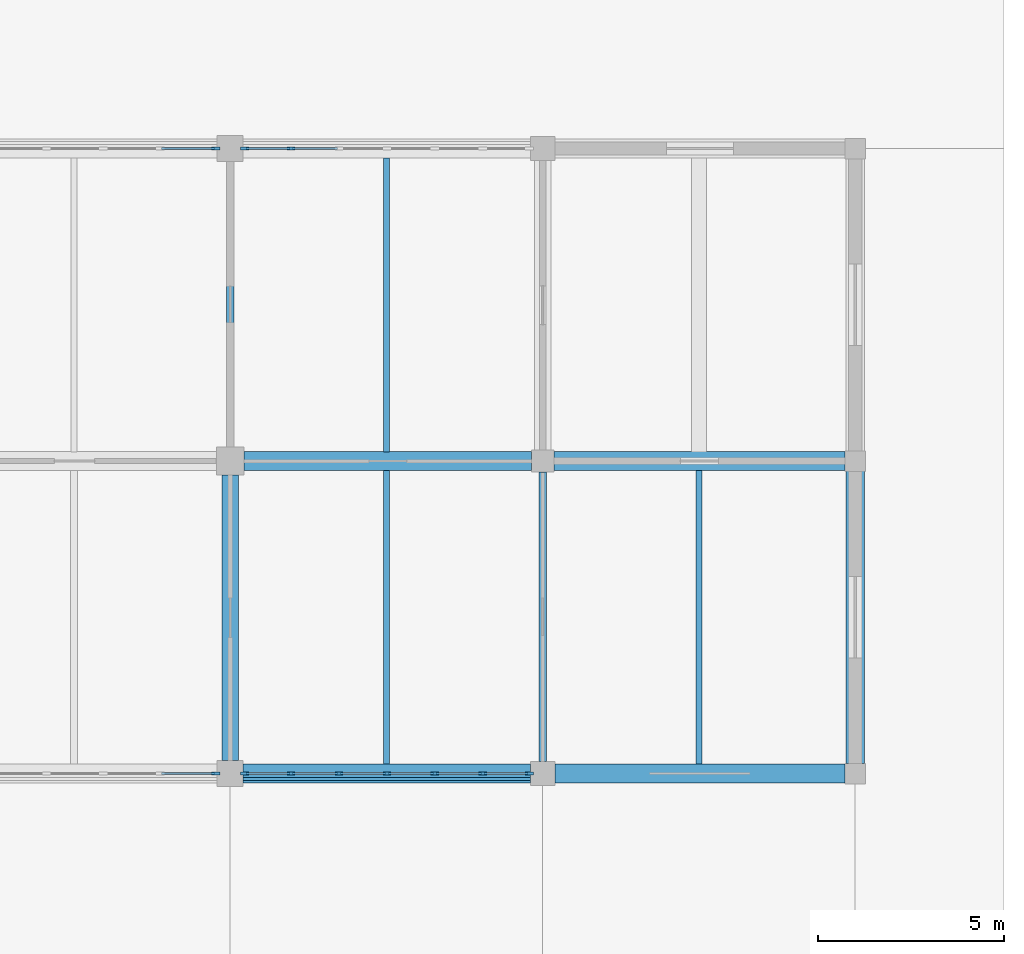
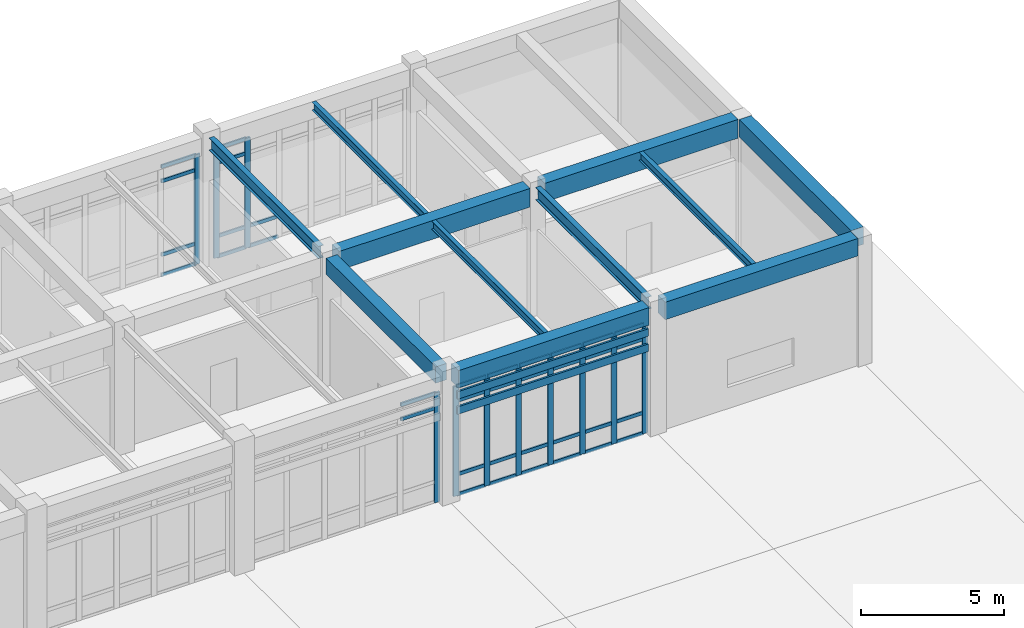
# One storey, part 46 of 91: 49 members, 11 beams, 4 elements without a shape of their own.
"""IFC4 building model written with IfcOpenShell, lengths in metres."""

from ifc_helpers import new_model, si_unit, direction, frame, origin, origin_2d, place, context, subcontext, project, spatial, rectangle, i_section, extrude, material, layer, layer_set, material_profile, profile_set, type_object, element, aggregate, save


model = new_model("IFC4")

# Units and contexts
model_context = context("Model", 3, precision=1e-05, world=origin(), true_north=direction((0.0, 1.0)))
body_context = subcontext(model_context, "Body", "Model", "MODEL_VIEW")
ifc_project = project(units=[si_unit("LENGTHUNIT", "METRE"), si_unit("AREAUNIT", "SQUARE_METRE"), si_unit("VOLUMEUNIT", "CUBIC_METRE"), si_unit("PLANEANGLEUNIT", "RADIAN"), si_unit("MASSUNIT", "GRAM", prefix="KILO")], contexts=[model_context])

# Site, building, storey
site_placement = place(None, origin())
site = spatial("IfcSite", under=ifc_project, at=site_placement, CompositionType="ELEMENT")
building_placement = place(site_placement, origin())
building = spatial("IfcBuilding", under=site, at=building_placement, Name="Porcellanite Civic Hall", CompositionType="ELEMENT")
storey_placement = place(building_placement, origin())
storey = spatial("IfcBuildingStorey", under=building, at=storey_placement, Name="L00", CompositionType="ELEMENT", Elevation=0.0)

# Beams
ifc_material_1 = material(Name="Concrete N50 (50 MPa)", Category="concrete")
ifc_material_profile_1 = material_profile(ifc_material_1, rectangle(XDim=0.449951171875, YDim=0.699951171875, at=origin_2d()), Name="RC-450x700")
ifc_profile_set_1 = profile_set([ifc_material_profile_1], Name="Concrete N50 (50 MPa)")
beam_type_1 = type_object("IfcBeamType", Name="BM-RC700", PredefinedType="BEAM", material=ifc_profile_set_1)
beam_1_placement = place(storey_placement, frame((159.60009765625, 101.1494140625, 5.14990234375), z_axis=(0.0, 1.0, 0.0), x_axis=(-1.0, 0.0, 0.0)))
element("IfcBeam", 1, at=beam_1_placement, inside=storey, type_object=beam_type_1, Name="Beam Y L00 20-13", PredefinedType="BEAM", context=body_context, shape_type="SweptSolid", body=[
    extrude(rectangle(XDim=0.449951171875, YDim=0.699951171875, at=origin_2d()), origin(), (0.0, 0.0, 1.0), 7.676025390625),
])
ifc_material_2 = material(Name="Concrete N50 (50 MPa)", Category="concrete")
ifc_material_profile_2 = material_profile(ifc_material_2, rectangle(XDim=0.5, YDim=0.75, at=origin_2d()), Name="RC-500x750")
ifc_profile_set_2 = profile_set([ifc_material_profile_2], Name="Concrete N50 (50 MPa)")
beam_type_2 = type_object("IfcBeamType", Name="BM-RC750", PredefinedType="SPANDREL", material=ifc_profile_set_2)
beam_2_placement = place(storey_placement, frame((159.949462890625, 100.800048828125, 5.125), z_axis=(1.0, 0.0, 0.0), x_axis=(0.0, 1.0, 0.0)))
element("IfcBeam", 2, at=beam_2_placement, inside=storey, type_object=beam_type_2, Name="Beam X L00 20-13", PredefinedType="SPANDREL", context=body_context, shape_type="SweptSolid", body=[
    extrude(rectangle(XDim=0.5, YDim=0.75, at=origin_2d()), origin(), (0.0, 0.0, 1.0), 7.72607421875),
])
beam_3_placement = place(storey_placement, frame((168.324462890625, 100.800048828125, 5.125), z_axis=(1.0, 0.0, 0.0), x_axis=(0.0, 1.0, 0.0)))
element("IfcBeam", 3, at=beam_3_placement, inside=storey, type_object=beam_type_2, Name="Beam X L00 21-13", PredefinedType="SPANDREL", context=body_context, shape_type="SweptSolid", body=[
    extrude(rectangle(XDim=0.5, YDim=0.75, at=origin_2d()), origin(), (0.0, 0.0, 1.0), 7.801025390625),
])
beam_4_placement = place(storey_placement, frame((176.39990234375, 101.074462890625, 5.125), z_axis=(0.0, 1.0, 0.0), x_axis=(-1.0, 0.0, 0.0)))
element("IfcBeam", 4, at=beam_4_placement, inside=storey, type_object=beam_type_2, Name="Beam Y L00 22-13", PredefinedType="SPANDREL", context=body_context, shape_type="SweptSolid", body=[
    extrude(rectangle(XDim=0.5, YDim=0.75, at=origin_2d()), origin(), (0.0, 0.0, 1.0), 7.85107421875),
])
ifc_material_3 = material(Name="Concrete N50 (50 MPa)", Category="concrete")
ifc_material_profile_3 = material_profile(ifc_material_3, rectangle(XDim=0.5, YDim=0.800048828125, at=origin_2d()), Name="RC-500x800")
ifc_profile_set_3 = profile_set([ifc_material_profile_3], Name="Concrete N50 (50 MPa)")
beam_type_3 = type_object("IfcBeamType", Name="BM-RC800", PredefinedType="BEAM", material=ifc_profile_set_3)
beam_5_placement = place(storey_placement, frame((159.974609375, 109.199951171875, 5.10009765625), z_axis=(1.0, 0.0, 0.0), x_axis=(0.0, 1.0, 0.0)))
element("IfcBeam", 5, at=beam_5_placement, inside=storey, type_object=beam_type_3, Name="Beam X L00 20-14", PredefinedType="BEAM", context=body_context, shape_type="SweptSolid", body=[
    extrude(rectangle(XDim=0.5, YDim=0.800048828125, at=origin_2d()), origin(), (0.0, 0.0, 1.0), 7.725830078125),
])
beam_6_placement = place(storey_placement, frame((168.299560546875, 109.199951171875, 5.10009765625), z_axis=(1.0, 0.0, 0.0), x_axis=(0.0, 1.0, 0.0)))
element("IfcBeam", 6, at=beam_6_placement, inside=storey, type_object=beam_type_3, Name="Beam X L00 21-14", PredefinedType="BEAM", context=body_context, shape_type="SweptSolid", body=[
    extrude(rectangle(XDim=0.5, YDim=0.800048828125, at=origin_2d()), origin(), (0.0, 0.0, 1.0), 7.825927734375),
])

# Curtain wall, member
ifc_material_4 = material(Name="Anodised aluminium and solar laminated glass", Category="aluminium")
ifc_layer = layer(ifc_material_4, 0.179931640625)
ifc_layer_set = layer_set([ifc_layer], Name="Anodised aluminium and solar laminated glass")
curtain_wall_type = type_object("IfcCurtainWallType", Name="CW-SYS02", PredefinedType="NOTDEFINED", material=ifc_layer_set)
curtain_wall_1_placement = place(storey_placement, origin())
curtain_wall_1 = element("IfcCurtainWall", 7, at=curtain_wall_1_placement, inside=storey, type_object=curtain_wall_type, Name="Curtain wall CW-052", PredefinedType="NOTDEFINED")
ifc_material_5 = material(Name="Anodised aluminium 6063-T6", Category="aluminium")
ifc_material_profile_4 = material_profile(ifc_material_5, rectangle(XDim=0.074951171875, YDim=0.219970703125, at=origin_2d()), Name="AL-75x220")
ifc_profile_set_4 = profile_set([ifc_material_profile_4], Name="Anodised aluminium 6063-T6")
member_type_1 = type_object("IfcMemberType", Name="CWM-03", PredefinedType="MULLION", material=ifc_profile_set_4)
member_1_placement = place(storey_placement, frame((159.21142578125, 100.800048828125, 0.0), z_axis=(0.0, 0.0, 1.0), x_axis=(0.0, -1.0, 0.0)))
member_1 = element("IfcMember", 8, at=member_1_placement, type_object=member_type_1, Name="CW-052 mullion 1", PredefinedType="MULLION", context=body_context, shape_type="SweptSolid", body=[
    extrude(rectangle(XDim=0.074951171875, YDim=0.219970703125, at=origin_2d()), origin(), (0.0, 0.0, 1.0), 4.699951171875),
])

curtain_wall_2_placement = place(storey_placement, origin())
curtain_wall_2 = element("IfcCurtainWall", 9, at=curtain_wall_2_placement, inside=storey, type_object=curtain_wall_type, Name="Curtain wall CW-053", PredefinedType="NOTDEFINED")
member_2_placement = place(storey_placement, frame((159.21142578125, 117.60009765625, 0.0), z_axis=(0.0, 0.0, 1.0), x_axis=(0.0, 1.0, 0.0)))
member_2 = element("IfcMember", 10, at=member_2_placement, type_object=member_type_1, Name="CW-053 mullion 6", PredefinedType="MULLION", context=body_context, shape_type="SweptSolid", body=[
    extrude(rectangle(XDim=0.074951171875, YDim=0.219970703125, at=origin_2d()), origin(), (0.0, 0.0, 1.0), 4.699951171875),
])

# Curtain wall, members
curtain_wall_3_placement = place(storey_placement, origin())
curtain_wall_3 = element("IfcCurtainWall", 11, at=curtain_wall_3_placement, inside=storey, type_object=curtain_wall_type, Name="Curtain wall CW-055", PredefinedType="NOTDEFINED")
member_3_placement = place(storey_placement, frame((167.636474609375, 100.800048828125, 0.0), z_axis=(0.0, 0.0, 1.0), x_axis=(0.0, -1.0, 0.0)))
member_3 = element("IfcMember", 12, at=member_3_placement, type_object=member_type_1, Name="CW-055 mullion 1", PredefinedType="MULLION", context=body_context, shape_type="SweptSolid", body=[
    extrude(rectangle(XDim=0.074951171875, YDim=0.219970703125, at=origin_2d()), origin(), (0.0, 0.0, 1.0), 4.699951171875),
])
member_4_placement = place(storey_placement, frame((166.38671875, 100.800048828125, 0.0), z_axis=(0.0, 0.0, 1.0), x_axis=(0.0, -1.0, 0.0)))
member_4 = element("IfcMember", 13, at=member_4_placement, type_object=member_type_1, Name="CW-055 mullion 2", PredefinedType="MULLION", context=body_context, shape_type="SweptSolid", body=[
    extrude(rectangle(XDim=0.074951171875, YDim=0.219970703125, at=origin_2d()), origin(), (0.0, 0.0, 1.0), 4.699951171875),
])
member_5_placement = place(storey_placement, frame((165.099609375, 100.800048828125, 0.0), z_axis=(0.0, 0.0, 1.0), x_axis=(0.0, -1.0, 0.0)))
member_5 = element("IfcMember", 14, at=member_5_placement, type_object=member_type_1, Name="CW-055 mullion 3", PredefinedType="MULLION", context=body_context, shape_type="SweptSolid", body=[
    extrude(rectangle(XDim=0.074951171875, YDim=0.219970703125, at=origin_2d()), origin(), (0.0, 0.0, 1.0), 4.699951171875),
])
member_6_placement = place(storey_placement, frame((163.8125, 100.800048828125, 0.0), z_axis=(0.0, 0.0, 1.0), x_axis=(0.0, -1.0, 0.0)))
member_6 = element("IfcMember", 15, at=member_6_placement, type_object=member_type_1, Name="CW-055 mullion 4", PredefinedType="MULLION", context=body_context, shape_type="SweptSolid", body=[
    extrude(rectangle(XDim=0.074951171875, YDim=0.219970703125, at=origin_2d()), origin(), (0.0, 0.0, 1.0), 4.699951171875),
])
member_7_placement = place(storey_placement, frame((162.525390625, 100.800048828125, 0.0), z_axis=(0.0, 0.0, 1.0), x_axis=(0.0, -1.0, 0.0)))
member_7 = element("IfcMember", 16, at=member_7_placement, type_object=member_type_1, Name="CW-055 mullion 5", PredefinedType="MULLION", context=body_context, shape_type="SweptSolid", body=[
    extrude(rectangle(XDim=0.074951171875, YDim=0.219970703125, at=origin_2d()), origin(), (0.0, 0.0, 1.0), 4.699951171875),
])
member_8_placement = place(storey_placement, frame((161.23828125, 100.800048828125, 0.0), z_axis=(0.0, 0.0, 1.0), x_axis=(0.0, -1.0, 0.0)))
member_8 = element("IfcMember", 17, at=member_8_placement, type_object=member_type_1, Name="CW-055 mullion 6", PredefinedType="MULLION", context=body_context, shape_type="SweptSolid", body=[
    extrude(rectangle(XDim=0.074951171875, YDim=0.219970703125, at=origin_2d()), origin(), (0.0, 0.0, 1.0), 4.699951171875),
])
member_9_placement = place(storey_placement, frame((159.988525390625, 100.800048828125, 0.0), z_axis=(0.0, 0.0, 1.0), x_axis=(0.0, -1.0, 0.0)))
member_9 = element("IfcMember", 18, at=member_9_placement, type_object=member_type_1, Name="CW-055 mullion 7", PredefinedType="MULLION", context=body_context, shape_type="SweptSolid", body=[
    extrude(rectangle(XDim=0.074951171875, YDim=0.219970703125, at=origin_2d()), origin(), (0.0, 0.0, 1.0), 4.699951171875),
])

curtain_wall_4_placement = place(storey_placement, origin())
curtain_wall_4 = element("IfcCurtainWall", 19, at=curtain_wall_4_placement, inside=storey, type_object=curtain_wall_type, Name="Curtain wall CW-056", PredefinedType="NOTDEFINED")
member_10_placement = place(storey_placement, frame((159.988525390625, 117.60009765625, 0.0), z_axis=(0.0, 0.0, 1.0), x_axis=(0.0, 1.0, 0.0)))
member_10 = element("IfcMember", 20, at=member_10_placement, type_object=member_type_1, Name="CW-056 mullion 1", PredefinedType="MULLION", context=body_context, shape_type="SweptSolid", body=[
    extrude(rectangle(XDim=0.074951171875, YDim=0.219970703125, at=origin_2d()), origin(), (0.0, 0.0, 1.0), 4.699951171875),
])
member_11_placement = place(storey_placement, frame((161.23828125, 117.60009765625, 0.0), z_axis=(0.0, 0.0, 1.0), x_axis=(0.0, 1.0, 0.0)))
member_11 = element("IfcMember", 21, at=member_11_placement, type_object=member_type_1, Name="CW-056 mullion 2", PredefinedType="MULLION", context=body_context, shape_type="SweptSolid", body=[
    extrude(rectangle(XDim=0.074951171875, YDim=0.219970703125, at=origin_2d()), origin(), (0.0, 0.0, 1.0), 4.699951171875),
])

# Member
ifc_material_6 = material(Name="Anodised aluminium 6063-T6", Category="aluminium")
ifc_material_profile_5 = material_profile(ifc_material_6, rectangle(XDim=0.06494140625, YDim=0.14990234375, at=origin_2d()), Name="AL-65x150")
ifc_profile_set_5 = profile_set([ifc_material_profile_5], Name="Anodised aluminium 6063-T6")
member_type_2 = type_object("IfcMemberType", Name="CWT-02", PredefinedType="USERDEFINED", material=ifc_profile_set_5)
member_12_placement = place(storey_placement, frame((159.174072265625, 100.800048828125, 4.050048828125), z_axis=(-1.0, 0.0, 0.0), x_axis=(0.0, -1.0, 0.0)))
member_12 = element("IfcMember", 22, at=member_12_placement, type_object=member_type_2, Name="CW-052 transom 1.3", ObjectType="TRANSOM", PredefinedType="USERDEFINED", context=body_context, shape_type="SweptSolid", body=[
    extrude(rectangle(XDim=0.06494140625, YDim=0.14990234375, at=origin_2d()), origin(), (0.0, 0.0, 1.0), 1.417236328125),
])

member_13_placement = place(storey_placement, frame((159.174072265625, 100.800048828125, 4.66748046875), z_axis=(-1.0, 0.0, 0.0), x_axis=(0.0, -1.0, 0.0)))
member_13 = element("IfcMember", 23, at=member_13_placement, type_object=member_type_2, Name="CW-052 transom 1.4", ObjectType="TRANSOM", PredefinedType="USERDEFINED", context=body_context, shape_type="SweptSolid", body=[
    extrude(rectangle(XDim=0.06494140625, YDim=0.14990234375, at=origin_2d()), origin(), (0.0, 0.0, 1.0), 1.417236328125),
])

aggregate(curtain_wall_1, [member_1, member_12, member_13])

member_14_placement = place(storey_placement, frame((157.7568359375, 117.60009765625, 0.032470703125), z_axis=(1.0, 0.0, 0.0), x_axis=(0.0, 1.0, 0.0)))
member_14 = element("IfcMember", 24, at=member_14_placement, type_object=member_type_2, Name="CW-053 transom 5.1", ObjectType="TRANSOM", PredefinedType="USERDEFINED", context=body_context, shape_type="SweptSolid", body=[
    extrude(rectangle(XDim=0.06494140625, YDim=0.14990234375, at=origin_2d()), origin(), (0.0, 0.0, 1.0), 1.417236328125),
])

member_15_placement = place(storey_placement, frame((157.7568359375, 117.60009765625, 0.89990234375), z_axis=(1.0, 0.0, 0.0), x_axis=(0.0, 1.0, 0.0)))
member_15 = element("IfcMember", 25, at=member_15_placement, type_object=member_type_2, Name="CW-053 transom 5.2", ObjectType="TRANSOM", PredefinedType="USERDEFINED", context=body_context, shape_type="SweptSolid", body=[
    extrude(rectangle(XDim=0.06494140625, YDim=0.14990234375, at=origin_2d()), origin(), (0.0, 0.0, 1.0), 1.417236328125),
])

member_16_placement = place(storey_placement, frame((157.7568359375, 117.60009765625, 4.050048828125), z_axis=(1.0, 0.0, 0.0), x_axis=(0.0, 1.0, 0.0)))
member_16 = element("IfcMember", 26, at=member_16_placement, type_object=member_type_2, Name="CW-053 transom 5.3", ObjectType="TRANSOM", PredefinedType="USERDEFINED", context=body_context, shape_type="SweptSolid", body=[
    extrude(rectangle(XDim=0.06494140625, YDim=0.14990234375, at=origin_2d()), origin(), (0.0, 0.0, 1.0), 1.417236328125),
])

member_17_placement = place(storey_placement, frame((157.7568359375, 117.60009765625, 4.66748046875), z_axis=(1.0, 0.0, 0.0), x_axis=(0.0, 1.0, 0.0)))
member_17 = element("IfcMember", 27, at=member_17_placement, type_object=member_type_2, Name="CW-053 transom 5.4", ObjectType="TRANSOM", PredefinedType="USERDEFINED", context=body_context, shape_type="SweptSolid", body=[
    extrude(rectangle(XDim=0.06494140625, YDim=0.14990234375, at=origin_2d()), origin(), (0.0, 0.0, 1.0), 1.417236328125),
])

aggregate(curtain_wall_2, [member_2, member_14, member_15, member_16, member_17])

member_18_placement = place(storey_placement, frame((167.59912109375, 100.800048828125, 0.032470703125), z_axis=(-1.0, 0.0, 0.0), x_axis=(0.0, -1.0, 0.0)))
member_18 = element("IfcMember", 28, at=member_18_placement, type_object=member_type_2, Name="CW-055 transom 1.1", ObjectType="TRANSOM", PredefinedType="USERDEFINED", context=body_context, shape_type="SweptSolid", body=[
    extrude(rectangle(XDim=0.06494140625, YDim=0.14990234375, at=origin_2d()), origin(), (0.0, 0.0, 1.0), 1.1748046875),
])

member_19_placement = place(storey_placement, frame((167.59912109375, 100.800048828125, 0.89990234375), z_axis=(-1.0, 0.0, 0.0), x_axis=(0.0, -1.0, 0.0)))
member_19 = element("IfcMember", 29, at=member_19_placement, type_object=member_type_2, Name="CW-055 transom 1.2", ObjectType="TRANSOM", PredefinedType="USERDEFINED", context=body_context, shape_type="SweptSolid", body=[
    extrude(rectangle(XDim=0.06494140625, YDim=0.14990234375, at=origin_2d()), origin(), (0.0, 0.0, 1.0), 1.1748046875),
])

member_20_placement = place(storey_placement, frame((167.59912109375, 100.800048828125, 4.050048828125), z_axis=(-1.0, 0.0, 0.0), x_axis=(0.0, -1.0, 0.0)))
member_20 = element("IfcMember", 30, at=member_20_placement, type_object=member_type_2, Name="CW-055 transom 1.3", ObjectType="TRANSOM", PredefinedType="USERDEFINED", context=body_context, shape_type="SweptSolid", body=[
    extrude(rectangle(XDim=0.06494140625, YDim=0.14990234375, at=origin_2d()), origin(), (0.0, 0.0, 1.0), 1.1748046875),
])

member_21_placement = place(storey_placement, frame((167.59912109375, 100.800048828125, 4.66748046875), z_axis=(-1.0, 0.0, 0.0), x_axis=(0.0, -1.0, 0.0)))
member_21 = element("IfcMember", 31, at=member_21_placement, type_object=member_type_2, Name="CW-055 transom 1.4", ObjectType="TRANSOM", PredefinedType="USERDEFINED", context=body_context, shape_type="SweptSolid", body=[
    extrude(rectangle(XDim=0.06494140625, YDim=0.14990234375, at=origin_2d()), origin(), (0.0, 0.0, 1.0), 1.1748046875),
])

member_22_placement = place(storey_placement, frame((166.349365234375, 100.800048828125, 0.032470703125), z_axis=(-1.0, 0.0, 0.0), x_axis=(0.0, -1.0, 0.0)))
member_22 = element("IfcMember", 32, at=member_22_placement, type_object=member_type_2, Name="CW-055 transom 2.1", ObjectType="TRANSOM", PredefinedType="USERDEFINED", context=body_context, shape_type="SweptSolid", body=[
    extrude(rectangle(XDim=0.06494140625, YDim=0.14990234375, at=origin_2d()), origin(), (0.0, 0.0, 1.0), 1.212158203125),
])

member_23_placement = place(storey_placement, frame((166.349365234375, 100.800048828125, 0.89990234375), z_axis=(-1.0, 0.0, 0.0), x_axis=(0.0, -1.0, 0.0)))
member_23 = element("IfcMember", 33, at=member_23_placement, type_object=member_type_2, Name="CW-055 transom 2.2", ObjectType="TRANSOM", PredefinedType="USERDEFINED", context=body_context, shape_type="SweptSolid", body=[
    extrude(rectangle(XDim=0.06494140625, YDim=0.14990234375, at=origin_2d()), origin(), (0.0, 0.0, 1.0), 1.212158203125),
])

member_24_placement = place(storey_placement, frame((166.349365234375, 100.800048828125, 4.050048828125), z_axis=(-1.0, 0.0, 0.0), x_axis=(0.0, -1.0, 0.0)))
member_24 = element("IfcMember", 34, at=member_24_placement, type_object=member_type_2, Name="CW-055 transom 2.3", ObjectType="TRANSOM", PredefinedType="USERDEFINED", context=body_context, shape_type="SweptSolid", body=[
    extrude(rectangle(XDim=0.06494140625, YDim=0.14990234375, at=origin_2d()), origin(), (0.0, 0.0, 1.0), 1.212158203125),
])

member_25_placement = place(storey_placement, frame((166.349365234375, 100.800048828125, 4.66748046875), z_axis=(-1.0, 0.0, 0.0), x_axis=(0.0, -1.0, 0.0)))
member_25 = element("IfcMember", 35, at=member_25_placement, type_object=member_type_2, Name="CW-055 transom 2.4", ObjectType="TRANSOM", PredefinedType="USERDEFINED", context=body_context, shape_type="SweptSolid", body=[
    extrude(rectangle(XDim=0.06494140625, YDim=0.14990234375, at=origin_2d()), origin(), (0.0, 0.0, 1.0), 1.212158203125),
])

member_26_placement = place(storey_placement, frame((165.062255859375, 100.800048828125, 0.032470703125), z_axis=(-1.0, 0.0, 0.0), x_axis=(0.0, -1.0, 0.0)))
member_26 = element("IfcMember", 36, at=member_26_placement, type_object=member_type_2, Name="CW-055 transom 3.1", ObjectType="TRANSOM", PredefinedType="USERDEFINED", context=body_context, shape_type="SweptSolid", body=[
    extrude(rectangle(XDim=0.06494140625, YDim=0.14990234375, at=origin_2d()), origin(), (0.0, 0.0, 1.0), 1.212158203125),
])

member_27_placement = place(storey_placement, frame((165.062255859375, 100.800048828125, 0.89990234375), z_axis=(-1.0, 0.0, 0.0), x_axis=(0.0, -1.0, 0.0)))
member_27 = element("IfcMember", 37, at=member_27_placement, type_object=member_type_2, Name="CW-055 transom 3.2", ObjectType="TRANSOM", PredefinedType="USERDEFINED", context=body_context, shape_type="SweptSolid", body=[
    extrude(rectangle(XDim=0.06494140625, YDim=0.14990234375, at=origin_2d()), origin(), (0.0, 0.0, 1.0), 1.212158203125),
])

member_28_placement = place(storey_placement, frame((165.062255859375, 100.800048828125, 4.050048828125), z_axis=(-1.0, 0.0, 0.0), x_axis=(0.0, -1.0, 0.0)))
member_28 = element("IfcMember", 38, at=member_28_placement, type_object=member_type_2, Name="CW-055 transom 3.3", ObjectType="TRANSOM", PredefinedType="USERDEFINED", context=body_context, shape_type="SweptSolid", body=[
    extrude(rectangle(XDim=0.06494140625, YDim=0.14990234375, at=origin_2d()), origin(), (0.0, 0.0, 1.0), 1.212158203125),
])

member_29_placement = place(storey_placement, frame((165.062255859375, 100.800048828125, 4.66748046875), z_axis=(-1.0, 0.0, 0.0), x_axis=(0.0, -1.0, 0.0)))
member_29 = element("IfcMember", 39, at=member_29_placement, type_object=member_type_2, Name="CW-055 transom 3.4", ObjectType="TRANSOM", PredefinedType="USERDEFINED", context=body_context, shape_type="SweptSolid", body=[
    extrude(rectangle(XDim=0.06494140625, YDim=0.14990234375, at=origin_2d()), origin(), (0.0, 0.0, 1.0), 1.212158203125),
])

member_30_placement = place(storey_placement, frame((163.77490234375, 100.800048828125, 0.032470703125), z_axis=(-1.0, 0.0, 0.0), x_axis=(0.0, -1.0, 0.0)))
member_30 = element("IfcMember", 40, at=member_30_placement, type_object=member_type_2, Name="CW-055 transom 4.1", ObjectType="TRANSOM", PredefinedType="USERDEFINED", context=body_context, shape_type="SweptSolid", body=[
    extrude(rectangle(XDim=0.06494140625, YDim=0.14990234375, at=origin_2d()), origin(), (0.0, 0.0, 1.0), 1.212158203125),
])

member_31_placement = place(storey_placement, frame((163.77490234375, 100.800048828125, 0.89990234375), z_axis=(-1.0, 0.0, 0.0), x_axis=(0.0, -1.0, 0.0)))
member_31 = element("IfcMember", 41, at=member_31_placement, type_object=member_type_2, Name="CW-055 transom 4.2", ObjectType="TRANSOM", PredefinedType="USERDEFINED", context=body_context, shape_type="SweptSolid", body=[
    extrude(rectangle(XDim=0.06494140625, YDim=0.14990234375, at=origin_2d()), origin(), (0.0, 0.0, 1.0), 1.212158203125),
])

member_32_placement = place(storey_placement, frame((163.77490234375, 100.800048828125, 4.050048828125), z_axis=(-1.0, 0.0, 0.0), x_axis=(0.0, -1.0, 0.0)))
member_32 = element("IfcMember", 42, at=member_32_placement, type_object=member_type_2, Name="CW-055 transom 4.3", ObjectType="TRANSOM", PredefinedType="USERDEFINED", context=body_context, shape_type="SweptSolid", body=[
    extrude(rectangle(XDim=0.06494140625, YDim=0.14990234375, at=origin_2d()), origin(), (0.0, 0.0, 1.0), 1.212158203125),
])

member_33_placement = place(storey_placement, frame((163.77490234375, 100.800048828125, 4.66748046875), z_axis=(-1.0, 0.0, 0.0), x_axis=(0.0, -1.0, 0.0)))
member_33 = element("IfcMember", 43, at=member_33_placement, type_object=member_type_2, Name="CW-055 transom 4.4", ObjectType="TRANSOM", PredefinedType="USERDEFINED", context=body_context, shape_type="SweptSolid", body=[
    extrude(rectangle(XDim=0.06494140625, YDim=0.14990234375, at=origin_2d()), origin(), (0.0, 0.0, 1.0), 1.212158203125),
])

member_34_placement = place(storey_placement, frame((162.48779296875, 100.800048828125, 0.032470703125), z_axis=(-1.0, 0.0, 0.0), x_axis=(0.0, -1.0, 0.0)))
member_34 = element("IfcMember", 44, at=member_34_placement, type_object=member_type_2, Name="CW-055 transom 5.1", ObjectType="TRANSOM", PredefinedType="USERDEFINED", context=body_context, shape_type="SweptSolid", body=[
    extrude(rectangle(XDim=0.06494140625, YDim=0.14990234375, at=origin_2d()), origin(), (0.0, 0.0, 1.0), 1.212158203125),
])

member_35_placement = place(storey_placement, frame((162.48779296875, 100.800048828125, 0.89990234375), z_axis=(-1.0, 0.0, 0.0), x_axis=(0.0, -1.0, 0.0)))
member_35 = element("IfcMember", 45, at=member_35_placement, type_object=member_type_2, Name="CW-055 transom 5.2", ObjectType="TRANSOM", PredefinedType="USERDEFINED", context=body_context, shape_type="SweptSolid", body=[
    extrude(rectangle(XDim=0.06494140625, YDim=0.14990234375, at=origin_2d()), origin(), (0.0, 0.0, 1.0), 1.212158203125),
])

member_36_placement = place(storey_placement, frame((162.48779296875, 100.800048828125, 4.050048828125), z_axis=(-1.0, 0.0, 0.0), x_axis=(0.0, -1.0, 0.0)))
member_36 = element("IfcMember", 46, at=member_36_placement, type_object=member_type_2, Name="CW-055 transom 5.3", ObjectType="TRANSOM", PredefinedType="USERDEFINED", context=body_context, shape_type="SweptSolid", body=[
    extrude(rectangle(XDim=0.06494140625, YDim=0.14990234375, at=origin_2d()), origin(), (0.0, 0.0, 1.0), 1.212158203125),
])

member_37_placement = place(storey_placement, frame((162.48779296875, 100.800048828125, 4.66748046875), z_axis=(-1.0, 0.0, 0.0), x_axis=(0.0, -1.0, 0.0)))
member_37 = element("IfcMember", 47, at=member_37_placement, type_object=member_type_2, Name="CW-055 transom 5.4", ObjectType="TRANSOM", PredefinedType="USERDEFINED", context=body_context, shape_type="SweptSolid", body=[
    extrude(rectangle(XDim=0.06494140625, YDim=0.14990234375, at=origin_2d()), origin(), (0.0, 0.0, 1.0), 1.212158203125),
])

member_38_placement = place(storey_placement, frame((161.20068359375, 100.800048828125, 0.032470703125), z_axis=(-1.0, 0.0, 0.0), x_axis=(0.0, -1.0, 0.0)))
member_38 = element("IfcMember", 48, at=member_38_placement, type_object=member_type_2, Name="CW-055 transom 6.1", ObjectType="TRANSOM", PredefinedType="USERDEFINED", context=body_context, shape_type="SweptSolid", body=[
    extrude(rectangle(XDim=0.06494140625, YDim=0.14990234375, at=origin_2d()), origin(), (0.0, 0.0, 1.0), 1.1748046875),
])

member_39_placement = place(storey_placement, frame((161.20068359375, 100.800048828125, 0.89990234375), z_axis=(-1.0, 0.0, 0.0), x_axis=(0.0, -1.0, 0.0)))
member_39 = element("IfcMember", 49, at=member_39_placement, type_object=member_type_2, Name="CW-055 transom 6.2", ObjectType="TRANSOM", PredefinedType="USERDEFINED", context=body_context, shape_type="SweptSolid", body=[
    extrude(rectangle(XDim=0.06494140625, YDim=0.14990234375, at=origin_2d()), origin(), (0.0, 0.0, 1.0), 1.1748046875),
])

member_40_placement = place(storey_placement, frame((161.20068359375, 100.800048828125, 4.050048828125), z_axis=(-1.0, 0.0, 0.0), x_axis=(0.0, -1.0, 0.0)))
member_40 = element("IfcMember", 50, at=member_40_placement, type_object=member_type_2, Name="CW-055 transom 6.3", ObjectType="TRANSOM", PredefinedType="USERDEFINED", context=body_context, shape_type="SweptSolid", body=[
    extrude(rectangle(XDim=0.06494140625, YDim=0.14990234375, at=origin_2d()), origin(), (0.0, 0.0, 1.0), 1.1748046875),
])

member_41_placement = place(storey_placement, frame((161.20068359375, 100.800048828125, 4.66748046875), z_axis=(-1.0, 0.0, 0.0), x_axis=(0.0, -1.0, 0.0)))
member_41 = element("IfcMember", 51, at=member_41_placement, type_object=member_type_2, Name="CW-055 transom 6.4", ObjectType="TRANSOM", PredefinedType="USERDEFINED", context=body_context, shape_type="SweptSolid", body=[
    extrude(rectangle(XDim=0.06494140625, YDim=0.14990234375, at=origin_2d()), origin(), (0.0, 0.0, 1.0), 1.1748046875),
])

aggregate(curtain_wall_3, [member_3, member_4, member_5, member_6, member_7, member_8, member_9, member_18, member_19, member_20, member_21, member_22, member_23, member_24, member_25, member_26, member_27, member_28, member_29, member_30, member_31, member_32, member_33, member_34, member_35, member_36, member_37, member_38, member_39, member_40, member_41])

member_42_placement = place(storey_placement, frame((160.02587890625, 117.60009765625, 0.032470703125), z_axis=(1.0, 0.0, 0.0), x_axis=(0.0, 1.0, 0.0)))
member_42 = element("IfcMember", 52, at=member_42_placement, type_object=member_type_2, Name="CW-056 transom 1.1", ObjectType="TRANSOM", PredefinedType="USERDEFINED", context=body_context, shape_type="SweptSolid", body=[
    extrude(rectangle(XDim=0.06494140625, YDim=0.14990234375, at=origin_2d()), origin(), (0.0, 0.0, 1.0), 1.1748046875),
])

member_43_placement = place(storey_placement, frame((160.02587890625, 117.60009765625, 0.89990234375), z_axis=(1.0, 0.0, 0.0), x_axis=(0.0, 1.0, 0.0)))
member_43 = element("IfcMember", 53, at=member_43_placement, type_object=member_type_2, Name="CW-056 transom 1.2", ObjectType="TRANSOM", PredefinedType="USERDEFINED", context=body_context, shape_type="SweptSolid", body=[
    extrude(rectangle(XDim=0.06494140625, YDim=0.14990234375, at=origin_2d()), origin(), (0.0, 0.0, 1.0), 1.1748046875),
])

member_44_placement = place(storey_placement, frame((160.02587890625, 117.60009765625, 4.050048828125), z_axis=(1.0, 0.0, 0.0), x_axis=(0.0, 1.0, 0.0)))
member_44 = element("IfcMember", 54, at=member_44_placement, type_object=member_type_2, Name="CW-056 transom 1.3", ObjectType="TRANSOM", PredefinedType="USERDEFINED", context=body_context, shape_type="SweptSolid", body=[
    extrude(rectangle(XDim=0.06494140625, YDim=0.14990234375, at=origin_2d()), origin(), (0.0, 0.0, 1.0), 1.1748046875),
])

member_45_placement = place(storey_placement, frame((160.02587890625, 117.60009765625, 4.66748046875), z_axis=(1.0, 0.0, 0.0), x_axis=(0.0, 1.0, 0.0)))
member_45 = element("IfcMember", 55, at=member_45_placement, type_object=member_type_2, Name="CW-056 transom 1.4", ObjectType="TRANSOM", PredefinedType="USERDEFINED", context=body_context, shape_type="SweptSolid", body=[
    extrude(rectangle(XDim=0.06494140625, YDim=0.14990234375, at=origin_2d()), origin(), (0.0, 0.0, 1.0), 1.1748046875),
])

member_46_placement = place(storey_placement, frame((161.275634765625, 117.60009765625, 0.032470703125), z_axis=(1.0, 0.0, 0.0), x_axis=(0.0, 1.0, 0.0)))
member_46 = element("IfcMember", 56, at=member_46_placement, type_object=member_type_2, Name="CW-056 transom 2.1", ObjectType="TRANSOM", PredefinedType="USERDEFINED", context=body_context, shape_type="SweptSolid", body=[
    extrude(rectangle(XDim=0.06494140625, YDim=0.14990234375, at=origin_2d()), origin(), (0.0, 0.0, 1.0), 1.212158203125),
])

member_47_placement = place(storey_placement, frame((161.275634765625, 117.60009765625, 0.89990234375), z_axis=(1.0, 0.0, 0.0), x_axis=(0.0, 1.0, 0.0)))
member_47 = element("IfcMember", 57, at=member_47_placement, type_object=member_type_2, Name="CW-056 transom 2.2", ObjectType="TRANSOM", PredefinedType="USERDEFINED", context=body_context, shape_type="SweptSolid", body=[
    extrude(rectangle(XDim=0.06494140625, YDim=0.14990234375, at=origin_2d()), origin(), (0.0, 0.0, 1.0), 1.212158203125),
])

aggregate(curtain_wall_4, [member_10, member_11, member_42, member_43, member_44, member_45, member_46, member_47])

# Beams
ifc_material_7 = material(Name="Steel Grade 350", Category="steel")
ifc_material_profile_6 = material_profile(ifc_material_7, i_section(OverallWidth=0.1708984375, OverallDepth=0.35595703125, WebThickness=0.00732421875, FlangeThickness=0.011474609375, FilletRadius=0.011474609375, at=origin_2d()), Name="360UB50.7")
ifc_profile_set_6 = profile_set([ifc_material_profile_6], Name="Steel Grade 350")
beam_type_4 = type_object("IfcBeamType", Name="JST-360UB51", PredefinedType="JOIST", material=ifc_profile_set_6)
beam_7_placement = place(storey_placement, frame((163.800048828125, 109.449462890625, 5.322021484375), z_axis=(0.0, 1.0, 0.0), x_axis=(-1.0, 0.0, 0.0)))
element("IfcBeam", 58, at=beam_7_placement, inside=storey, type_object=beam_type_4, Name="Secondary joist L00 20-14", PredefinedType="JOIST", context=body_context, shape_type="SweptSolid", body=[
    extrude(i_section(OverallWidth=0.1708984375, OverallDepth=0.35595703125, WebThickness=0.00732421875, FlangeThickness=0.011474609375, FilletRadius=0.011474609375, at=origin_2d()), origin(), (0.0, 0.0, 1.0), 7.901123046875),
])
beam_8_placement = place(storey_placement, frame((172.199951171875, 101.049560546875, 5.322021484375), z_axis=(0.0, 1.0, 0.0), x_axis=(-1.0, 0.0, 0.0)))
element("IfcBeam", 59, at=beam_8_placement, inside=storey, type_object=beam_type_4, Name="Secondary joist L00 21-13", PredefinedType="JOIST", context=body_context, shape_type="SweptSolid", body=[
    extrude(i_section(OverallWidth=0.1708984375, OverallDepth=0.35595703125, WebThickness=0.00732421875, FlangeThickness=0.011474609375, FilletRadius=0.011474609375, at=origin_2d()), origin(), (0.0, 0.0, 1.0), 7.90087890625),
])
ifc_material_8 = material(Name="Steel Grade 350", Category="steel")
ifc_material_profile_7 = material_profile(ifc_material_8, i_section(OverallWidth=0.172119140625, OverallDepth=0.35888671875, WebThickness=0.008056640625, FlangeThickness=0.012939453125, FilletRadius=0.011474609375, at=origin_2d()), Name="360UB56.7")
ifc_profile_set_7 = profile_set([ifc_material_profile_7], Name="Steel Grade 350")
beam_type_5 = type_object("IfcBeamType", Name="JST-360UB57", PredefinedType="JOIST", material=ifc_profile_set_7)
beam_9_placement = place(storey_placement, frame((163.800048828125, 101.049560546875, 5.320556640625), z_axis=(0.0, 1.0, 0.0), x_axis=(-1.0, 0.0, 0.0)))
element("IfcBeam", 60, at=beam_9_placement, inside=storey, type_object=beam_type_5, Name="Secondary joist L00 20-13", PredefinedType="JOIST", context=body_context, shape_type="SweptSolid", body=[
    extrude(i_section(OverallWidth=0.172119140625, OverallDepth=0.35888671875, WebThickness=0.008056640625, FlangeThickness=0.012939453125, FilletRadius=0.011474609375, at=origin_2d()), origin(), (0.0, 0.0, 1.0), 7.90087890625),
])

# Members
ifc_material_9 = material(Name="Fluoropolymer bauxite-red aluminium 6063-T6", Category="aluminium")
ifc_material_profile_8 = material_profile(ifc_material_9, rectangle(XDim=0.080078125, YDim=0.320068359375, at=origin_2d()), Name="AL-80x320")
ifc_profile_set_8 = profile_set([ifc_material_profile_8], Name="Fluoropolymer bauxite-red aluminium 6063-T6")
member_type_3 = type_object("IfcMemberType", Name="LV-BLD03", PredefinedType="USERDEFINED", material=ifc_profile_set_8)
for number, where, z_axis, x_axis, name in (
    (61, (167.675537109375, 100.64794921875, 4.39990234375), (-1.0, 0.0, 0.0), (0.0, -1.0, 0.0), "Cyclone sunshade louvre L00 S 19-12 1"),
    (62, (167.675537109375, 100.64794921875, 3.75), (-1.0, 0.0, 0.0), (0.0, -1.0, 0.0), "Cyclone sunshade louvre L00 S 19-12 2"),
):
    element("IfcMember", number, at=place(storey_placement, frame(where, z_axis=z_axis, x_axis=x_axis)), inside=storey, type_object=member_type_3, Name=name, ObjectType="LOUVRE BLADE", PredefinedType="USERDEFINED", context=body_context, shape_type="SweptSolid", body=[
        extrude(rectangle(XDim=0.080078125, YDim=0.320068359375, at=origin_2d()), origin(), (0.0, 0.0, 1.0), 7.72607421875),
    ])

# Beams
ifc_material_10 = material(Name="Steel Grade 350", Category="steel")
ifc_material_profile_9 = material_profile(ifc_material_10, i_section(OverallWidth=0.208984375, OverallDepth=0.528076171875, WebThickness=0.009521484375, FlangeThickness=0.01318359375, FilletRadius=0.013916015625, at=origin_2d()), Name="530UB82.0")
ifc_profile_set_9 = profile_set([ifc_material_profile_9], Name="Steel Grade 350")
beam_type_6 = type_object("IfcBeamType", Name="RAF-530UB82", PredefinedType="BEAM", material=ifc_profile_set_9)
beam_10_placement = place(storey_placement, frame((159.60009765625, 109.574462890625, 5.236083984375), z_axis=(0.0, 1.0, 0.0), x_axis=(-1.0, 0.0, 0.0)))
element("IfcBeam", 63, at=beam_10_placement, inside=storey, type_object=beam_type_6, Name="Beam Y L00 20-14", PredefinedType="BEAM", context=body_context, shape_type="SweptSolid", body=[
    extrude(i_section(OverallWidth=0.208984375, OverallDepth=0.528076171875, WebThickness=0.009521484375, FlangeThickness=0.01318359375, FilletRadius=0.013916015625, at=origin_2d()), origin(), (0.0, 0.0, 1.0), 7.676025390625),
])
beam_11_placement = place(storey_placement, frame((168.0, 101.12451171875, 5.236083984375), z_axis=(0.0, 1.0, 0.0), x_axis=(-1.0, 0.0, 0.0)))
element("IfcBeam", 64, at=beam_11_placement, inside=storey, type_object=beam_type_6, Name="Beam Y L00 21-13", PredefinedType="BEAM", context=body_context, shape_type="SweptSolid", body=[
    extrude(i_section(OverallWidth=0.208984375, OverallDepth=0.528076171875, WebThickness=0.009521484375, FlangeThickness=0.01318359375, FilletRadius=0.013916015625, at=origin_2d()), origin(), (0.0, 0.0, 1.0), 7.77587890625),
])

save(model, "model.ifc")
